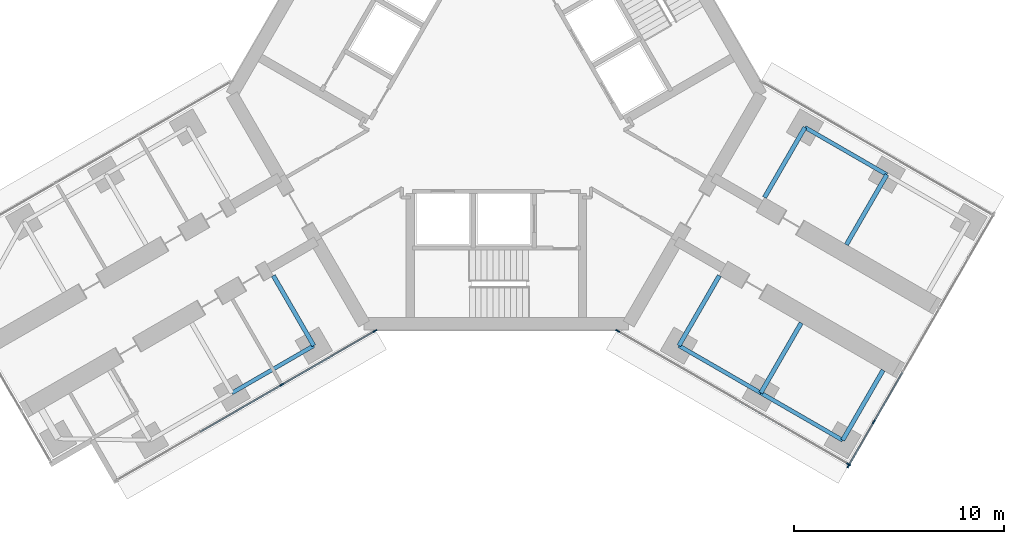
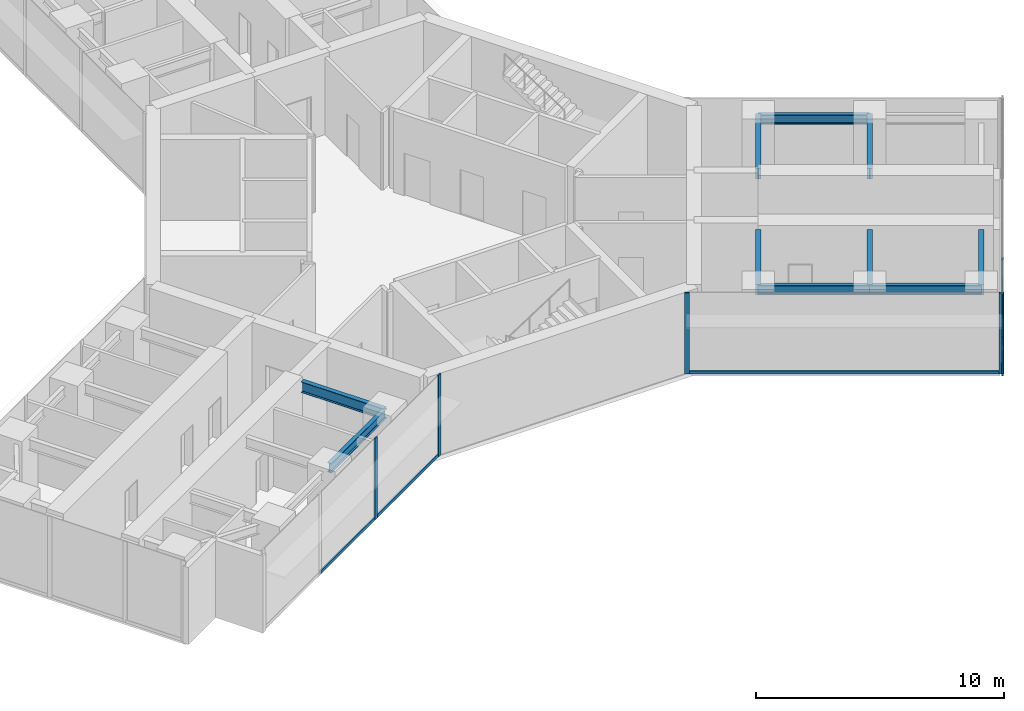
# One storey, part 8 of 22: 11 members, 10 beams, 3 elements without a shape of their own.
"""IFC4 building model written with IfcOpenShell, lengths in metres."""

from ifc_helpers import new_model, si_unit, direction, frame, origin, origin_2d, place, context, subcontext, project, spatial, rectangle, i_section, extrude, material, material_profile, profile_set, type_object, element, aggregate, save


model = new_model("IFC4")

# Units and contexts
model_context = context("Model", 3, precision=1e-05, world=origin(), true_north=direction((0.0, 1.0)))
body_context = subcontext(model_context, "Body", "Model", "MODEL_VIEW")
ifc_project = project(units=[si_unit("LENGTHUNIT", "METRE"), si_unit("AREAUNIT", "SQUARE_METRE"), si_unit("VOLUMEUNIT", "CUBIC_METRE"), si_unit("PLANEANGLEUNIT", "RADIAN"), si_unit("MASSUNIT", "GRAM", prefix="KILO")], contexts=[model_context])

# Site, building, storey
site_placement = place(None, origin())
site = spatial("IfcSite", under=ifc_project, at=site_placement, CompositionType="ELEMENT")
building_placement = place(site_placement, origin())
building = spatial("IfcBuilding", under=site, at=building_placement, Name="Upepo Twin Towers", CompositionType="ELEMENT")
storey_placement = place(building_placement, frame((0.0, 0.0, 125.5)))
storey = spatial("IfcBuildingStorey", under=building, at=storey_placement, Name="L30", CompositionType="ELEMENT", Elevation=125.5)

# Beams
ifc_material_1 = material(Name="Steel S355", Category="steel")
ifc_material_profile_1 = material_profile(ifc_material_1, i_section(OverallWidth=0.1904296875, OverallDepth=0.45703125, WebThickness=0.009033203125, FlangeThickness=0.014404296875, FilletRadius=0.01025390625, at=origin_2d()), Name="UB 457x191x74")
ifc_profile_set_1 = profile_set([ifc_material_profile_1], Name="Steel S355")
beam_type_1 = type_object("IfcBeamType", Name="Beam UB 457x191x74", PredefinedType="BEAM", material=ifc_profile_set_1)
for number, where, z_axis, x_axis, name in (
    (1, (49.80859375, -29.946044921875, 3.571533203125), (-0.866017533419, -0.500013631625, 0.0), (0.500013631625, -0.866017533419, 0.0), "T2 edge beam BL 13.5-18.0"),
    (2, (73.19140625, -19.553955078125, 3.571533203125), (0.866017533419, -0.500013631625, 0.0), (0.500013631625, 0.866017533419, 0.0), "T2 edge beam CL 13.5-18.0"),
    (3, (67.19140625, -29.946044921875, 3.571533203125), (0.866017533419, -0.500013631625, 0.0), (0.500013631625, 0.866017533419, 0.0), "T2 edge beam CR 13.5-18.0"),
):
    element("IfcBeam", number, at=place(storey_placement, frame(where, z_axis=z_axis, x_axis=x_axis)), inside=storey, type_object=beam_type_1, Name=name, PredefinedType="BEAM", context=body_context, shape_type="SweptSolid", body=[
        extrude(i_section(OverallWidth=0.1904296875, OverallDepth=0.45703125, WebThickness=0.009033203125, FlangeThickness=0.014404296875, FilletRadius=0.01025390625, at=origin_2d()), origin(), (0.0, 0.0, 1.0), 4.499755859375),
    ])
beam_1_placement = place(storey_placement, frame((71.08837890625, -32.196044921875, 3.571533203125), z_axis=(0.866031096941, -0.499990139034, 0.0), x_axis=(0.499990139034, 0.866031096941, 0.0)))
element("IfcBeam", 4, at=beam_1_placement, inside=storey, type_object=beam_type_1, Name="T2 edge beam CR 18.0-22.5", PredefinedType="BEAM", context=body_context, shape_type="SweptSolid", body=[
    extrude(i_section(OverallWidth=0.1904296875, OverallDepth=0.45703125, WebThickness=0.009033203125, FlangeThickness=0.014404296875, FilletRadius=0.01025390625, at=origin_2d()), origin(), (0.0, 0.0, 1.0), 4.5),
])
ifc_material_2 = material(Name="Steel S355", Category="steel")
ifc_material_profile_2 = material_profile(ifc_material_2, i_section(OverallWidth=0.209228515625, OverallDepth=0.533203125, WebThickness=0.010009765625, FlangeThickness=0.015625, FilletRadius=0.0126953125, at=origin_2d()), Name="UB 533x210x92")
ifc_profile_set_2 = profile_set([ifc_material_profile_2], Name="Steel S355")
beam_type_2 = type_object("IfcBeamType", Name="Beam UB 533x210x92", PredefinedType="BEAM", material=ifc_profile_set_2)
for number, where, z_axis, x_axis, name in (
    (5, (49.80859375, -29.946044921875, 3.533447265625), (-0.500033517596, 0.866006051527, 0.0), (-0.866006051527, -0.500033517596, 0.0), "T2 girder BL at 13.5"),
    (6, (73.19140625, -19.553955078125, 3.533447265625), (-0.500033517596, -0.866006051527, 0.0), (0.866006051527, -0.500033517596, 0.0), "T2 girder CL at 13.5"),
):
    element("IfcBeam", number, at=place(storey_placement, frame(where, z_axis=z_axis, x_axis=x_axis)), inside=storey, type_object=beam_type_2, Name=name, PredefinedType="BEAM", context=body_context, shape_type="SweptSolid", body=[
        extrude(i_section(OverallWidth=0.209228515625, OverallDepth=0.533203125, WebThickness=0.010009765625, FlangeThickness=0.015625, FilletRadius=0.0126953125, at=origin_2d()), origin(), (0.0, 0.0, 1.0), 3.849853515625),
    ])
beam_2_placement = place(storey_placement, frame((77.08837890625, -21.803955078125, 3.533447265625), z_axis=(-0.499985955615, -0.866033512162, 0.0), x_axis=(0.866033512162, -0.499985955615, 0.0)))
element("IfcBeam", 7, at=beam_2_placement, inside=storey, type_object=beam_type_2, Name="T2 girder CL at 18.0", PredefinedType="BEAM", context=body_context, shape_type="SweptSolid", body=[
    extrude(i_section(OverallWidth=0.209228515625, OverallDepth=0.533203125, WebThickness=0.010009765625, FlangeThickness=0.015625, FilletRadius=0.0126953125, at=origin_2d()), origin(), (0.0, 0.0, 1.0), 3.849609375),
])
for number, where, z_axis, x_axis, name in (
    (8, (67.19140625, -29.946044921875, 3.533447265625), (0.500033517596, 0.866006051527, 0.0), (-0.866006051527, 0.500033517596, 0.0), "T2 girder CR at 13.5"),
    (9, (71.08837890625, -32.196044921875, 3.533447265625), (0.500033517596, 0.866006051527, 0.0), (-0.866006051527, 0.500033517596, 0.0), "T2 girder CR at 18.0"),
    (10, (74.985595703125, -34.446044921875, 3.533447265625), (0.500033517596, 0.866006051527, 0.0), (-0.866006051527, 0.500033517596, 0.0), "T2 girder CR at 22.5"),
):
    element("IfcBeam", number, at=place(storey_placement, frame(where, z_axis=z_axis, x_axis=x_axis)), inside=storey, type_object=beam_type_2, Name=name, PredefinedType="BEAM", context=body_context, shape_type="SweptSolid", body=[
        extrude(i_section(OverallWidth=0.209228515625, OverallDepth=0.533203125, WebThickness=0.010009765625, FlangeThickness=0.015625, FilletRadius=0.0126953125, at=origin_2d()), origin(), (0.0, 0.0, 1.0), 3.849853515625),
    ])

# Curtain wall, members
ifc_material_3 = material(Name="Aluminium and fritted glass", Category="aluminium")
curtain_wall_type = type_object("IfcCurtainWallType", Name="Tower curtain wall TW2, fritted glass", PredefinedType="NOTDEFINED", material=ifc_material_3)
curtain_wall_1_placement = place(storey_placement, origin())
curtain_wall_1 = element("IfcCurtainWall", 11, at=curtain_wall_1_placement, inside=storey, type_object=curtain_wall_type, Name="T2 L30 wing B flank L curtain wall", PredefinedType="NOTDEFINED")
ifc_material_4 = material(Name="Aluminium mullion", Category="aluminium")
ifc_material_profile_3 = material_profile(ifc_material_4, rectangle(XDim=0.06494140625, YDim=0.199951171875, at=origin_2d()), Name="MULLION 65x200")
ifc_profile_set_3 = profile_set([ifc_material_profile_3], Name="Aluminium mullion")
member_type_1 = type_object("IfcMemberType", Name="Mullion 65x200 TW2", PredefinedType="MULLION", material=ifc_profile_set_3)
member_1_placement = place(storey_placement, frame((52.72802734375, -29.2421875, 0.0), z_axis=(0.0, 0.0, 1.0), x_axis=(0.500000010308, -0.866025397833, 0.0)))
member_1 = element("IfcMember", 12, at=member_1_placement, type_object=member_type_1, Name="T2 L30 wing B flank L curtain wall mullion 1", PredefinedType="MULLION", context=body_context, shape_type="SweptSolid", body=[
    extrude(rectangle(XDim=0.06494140625, YDim=0.199951171875, at=origin_2d()), origin(), (0.0, 0.0, 1.0), 4.0),
])
member_2_placement = place(storey_placement, frame((48.28515625, -31.807373046875, 0.0), z_axis=(0.0, 0.0, 1.0), x_axis=(0.500000010308, -0.866025397833, 0.0)))
member_2 = element("IfcMember", 13, at=member_2_placement, type_object=member_type_1, Name="T2 L30 wing B flank L curtain wall mullion 2", PredefinedType="MULLION", context=body_context, shape_type="SweptSolid", body=[
    extrude(rectangle(XDim=0.06494140625, YDim=0.199951171875, at=origin_2d()), origin(), (0.0, 0.0, 1.0), 4.0),
])

curtain_wall_2_placement = place(storey_placement, origin())
curtain_wall_2 = element("IfcCurtainWall", 14, at=curtain_wall_2_placement, inside=storey, type_object=curtain_wall_type, Name="T2 L30 wing C flank R curtain wall", PredefinedType="NOTDEFINED")
member_3_placement = place(storey_placement, frame((75.2685546875, -35.591064453125, 0.0), z_axis=(0.0, 0.0, 1.0), x_axis=(-0.50000000792, -0.866025399212, 0.0)))
member_3 = element("IfcMember", 15, at=member_3_placement, type_object=member_type_1, Name="T2 L30 wing C flank R curtain wall mullion 1", PredefinedType="MULLION", context=body_context, shape_type="SweptSolid", body=[
    extrude(rectangle(XDim=0.06494140625, YDim=0.199951171875, at=origin_2d()), origin(), (0.0, 0.0, 1.0), 4.0),
])
member_4_placement = place(storey_placement, frame((64.27197265625, -29.2421875, 0.0), z_axis=(0.0, 0.0, 1.0), x_axis=(-0.50000000792, -0.866025399212, 0.0)))
member_4 = element("IfcMember", 16, at=member_4_placement, type_object=member_type_1, Name="T2 L30 wing C flank R curtain wall mullion 2", PredefinedType="MULLION", context=body_context, shape_type="SweptSolid", body=[
    extrude(rectangle(XDim=0.06494140625, YDim=0.199951171875, at=origin_2d()), origin(), (0.0, 0.0, 1.0), 4.0),
])

curtain_wall_3_placement = place(storey_placement, origin())
curtain_wall_3 = element("IfcCurtainWall", 17, at=curtain_wall_3_placement, inside=storey, type_object=curtain_wall_type, Name="T2 L30 wing C nose curtain wall", PredefinedType="NOTDEFINED")
member_5_placement = place(storey_placement, frame((75.262939453125, -35.665771484375, 0.0), z_axis=(0.0, 0.0, 1.0), x_axis=(-0.866025419745, 0.499999972355, 0.0)))
member_5 = element("IfcMember", 18, at=member_5_placement, type_object=member_type_1, Name="T2 L30 wing C nose curtain wall mullion 1", PredefinedType="MULLION", context=body_context, shape_type="SweptSolid", body=[
    extrude(rectangle(XDim=0.06494140625, YDim=0.199951171875, at=origin_2d()), origin(), (0.0, 0.0, 1.0), 4.0),
])
member_6_placement = place(storey_placement, frame((76.4716796875, -33.572021484375, 0.0), z_axis=(0.0, 0.0, 1.0), x_axis=(-0.866025419745, 0.499999972355, 0.0)))
member_6 = element("IfcMember", 19, at=member_6_placement, type_object=member_type_1, Name="T2 L30 wing C nose curtain wall mullion 2", PredefinedType="MULLION", context=body_context, shape_type="SweptSolid", body=[
    extrude(rectangle(XDim=0.06494140625, YDim=0.199951171875, at=origin_2d()), origin(), (0.0, 0.0, 1.0), 4.0),
])

# Member
ifc_material_5 = material(Name="Aluminium transom", Category="aluminium")
ifc_material_profile_4 = material_profile(ifc_material_5, rectangle(XDim=0.06494140625, YDim=0.14990234375, at=origin_2d()), Name="TRANSOM 65x150")
ifc_profile_set_4 = profile_set([ifc_material_profile_4], Name="Aluminium transom")
member_type_2 = type_object("IfcMemberType", Name="Transom 65x150 TW2", PredefinedType="USERDEFINED", material=ifc_profile_set_4)
member_7_placement = place(storey_placement, frame((52.699951171875, -29.25830078125, 0.074951171875), z_axis=(-0.866021848223, -0.500006158363, 0.0), x_axis=(0.500006158363, -0.866021848223, 0.0)))
member_7 = element("IfcMember", 20, at=member_7_placement, type_object=member_type_2, Name="T2 L30 wing B flank L curtain wall transom 1", ObjectType="TRANSOM", PredefinedType="USERDEFINED", context=body_context, shape_type="SweptSolid", body=[
    extrude(rectangle(XDim=0.06494140625, YDim=0.14990234375, at=origin_2d()), origin(), (0.0, 0.0, 1.0), 5.0654296875),
])

member_8_placement = place(storey_placement, frame((48.2568359375, -31.823486328125, 0.074951171875), z_axis=(-0.866022410713, -0.500005184116, 0.0), x_axis=(0.500005184116, -0.866022410713, 0.0)))
member_8 = element("IfcMember", 21, at=member_8_placement, type_object=member_type_2, Name="T2 L30 wing B flank L curtain wall transom 2", ObjectType="TRANSOM", PredefinedType="USERDEFINED", context=body_context, shape_type="SweptSolid", body=[
    extrude(rectangle(XDim=0.06494140625, YDim=0.14990234375, at=origin_2d()), origin(), (0.0, 0.0, 1.0), 4.43505859375),
])

aggregate(curtain_wall_1, [member_1, member_2, member_7, member_8])

member_9_placement = place(storey_placement, frame((75.240478515625, -35.57470703125, 0.074951171875), z_axis=(-0.866027247007, 0.499996807431, 0.0), x_axis=(-0.499996807431, -0.866027247007, 0.0)))
member_9 = element("IfcMember", 22, at=member_9_placement, type_object=member_type_2, Name="T2 L30 wing C flank R curtain wall transom 1", ObjectType="TRANSOM", PredefinedType="USERDEFINED", context=body_context, shape_type="SweptSolid", body=[
    extrude(rectangle(XDim=0.06494140625, YDim=0.14990234375, at=origin_2d()), origin(), (0.0, 0.0, 1.0), 12.6328125),
])

aggregate(curtain_wall_2, [member_3, member_4, member_9])

member_10_placement = place(storey_placement, frame((75.279296875, -35.6376953125, 0.074951171875), z_axis=(0.499923095048, 0.866069800327, 0.0), x_axis=(-0.866069800327, 0.499923095048, 0.0)))
member_10 = element("IfcMember", 23, at=member_10_placement, type_object=member_type_2, Name="T2 L30 wing C nose curtain wall transom 1", ObjectType="TRANSOM", PredefinedType="USERDEFINED", context=body_context, shape_type="SweptSolid", body=[
    extrude(rectangle(XDim=0.06494140625, YDim=0.14990234375, at=origin_2d()), origin(), (0.0, 0.0, 1.0), 2.352294921875),
])

member_11_placement = place(storey_placement, frame((76.488037109375, -33.5439453125, 0.074951171875), z_axis=(0.49995335277, 0.8660523339, 0.0), x_axis=(-0.8660523339, 0.49995335277, 0.0)))
member_11 = element("IfcMember", 24, at=member_11_placement, type_object=member_type_2, Name="T2 L30 wing C nose curtain wall transom 2", ObjectType="TRANSOM", PredefinedType="USERDEFINED", context=body_context, shape_type="SweptSolid", body=[
    extrude(rectangle(XDim=0.06494140625, YDim=0.14990234375, at=origin_2d()), origin(), (0.0, 0.0, 1.0), 2.684814453125),
])

aggregate(curtain_wall_3, [member_5, member_6, member_10, member_11])

save(model, "model.ifc")
